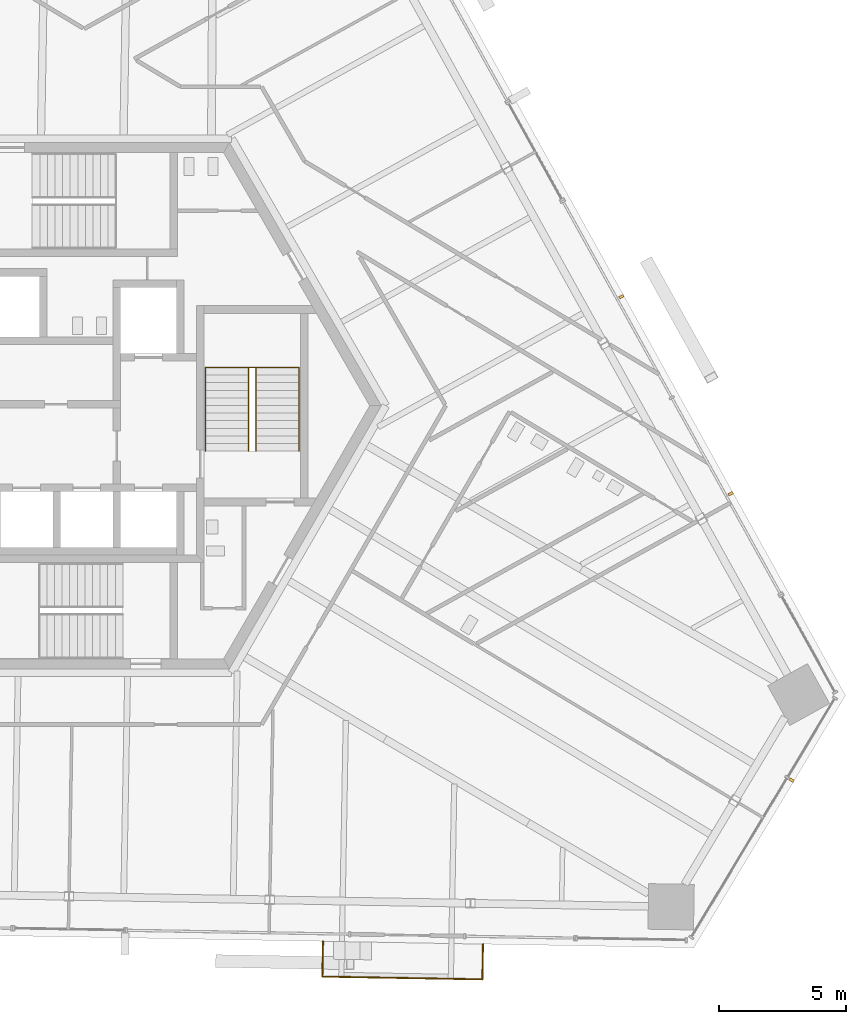
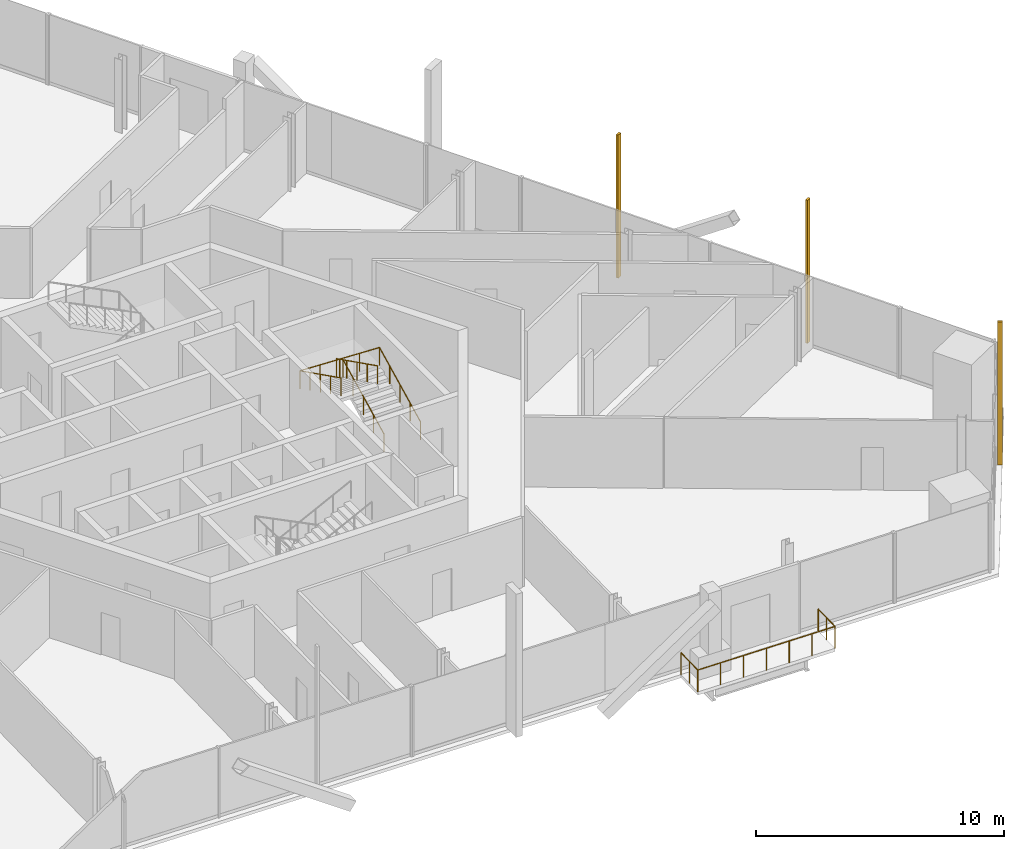
# One storey, part 17 of 21: 3 railings, 3 shading devices.
"""IFC4 building model written with IfcOpenShell, lengths in metres."""

from ifc_helpers import new_model, si_unit, direction, frame, origin, origin_2d, place, context, subcontext, project, spatial, rectangle, circle, extrude, source, transform, mapped, material, type_object, element, save


model = new_model("IFC4")

# Units and contexts
model_context = context("Model", 3, precision=1e-05, world=origin(), true_north=direction((0.0, 1.0)))
body_context = subcontext(model_context, "Body", "Model", "MODEL_VIEW")
ifc_project = project(units=[si_unit("LENGTHUNIT", "METRE"), si_unit("AREAUNIT", "SQUARE_METRE"), si_unit("VOLUMEUNIT", "CUBIC_METRE"), si_unit("PLANEANGLEUNIT", "RADIAN"), si_unit("MASSUNIT", "GRAM", prefix="KILO")], contexts=[model_context])

# Site, building, storey
site_placement = place(None, origin())
site = spatial("IfcSite", under=ifc_project, at=site_placement, CompositionType="ELEMENT")
building_placement = place(site_placement, origin())
building = spatial("IfcBuilding", under=site, at=building_placement, Name="Triune Harvest Tower", CompositionType="ELEMENT")
storey_placement = place(building_placement, frame((0.0, 0.0, 201.5)))
storey = spatial("IfcBuildingStorey", under=building, at=storey_placement, Name="L52", CompositionType="ELEMENT", Elevation=201.5)

# Railings
ifc_material_1 = material(Name="Stainless steel AISI 316", Category="steel")
railing_type_1 = type_object("IfcRailingType", Name="Stair handrail", PredefinedType="HANDRAIL", material=ifc_material_1)
shared_shape_1 = source(origin(), body_context, "Body", "SweptSolid", [
    extrude(circle(Radius=0.02392578125, at=origin_2d()), frame((0.0, 0.0, 0.8759765625), z_axis=(0.0, 0.894413956696, 0.447240063129), x_axis=(-1.0, 0.0, 0.0)), (0.0, 0.0, 1.0), 3.689697265625),
    extrude(circle(Radius=0.02392578125, at=origin_2d()), frame((0.0, 3.300048828125, 2.52587890625), z_axis=(-0.999180289278, 0.0, 0.040481471304), x_axis=(0.0, -1.0, 0.0)), (0.0, 0.0, 1.0), 3.702880859375),
    extrude(circle(Radius=0.02392578125, at=origin_2d()), frame((-3.699951171875, 3.300048828125, 2.67578125), z_axis=(0.0, -0.894413956696, 0.447240063129), x_axis=(1.0, 0.0, 0.0)), (0.0, 0.0, 1.0), 3.689697265625),
    extrude(circle(Radius=0.02099609375, at=origin_2d()), origin(), (0.0, 0.0, 1.0), 0.851806640625),
    extrude(circle(Radius=0.02099609375, at=origin_2d()), frame((0.0, 0.824951171875, 0.41259765625)), (0.0, 0.0, 1.0), 0.851806640625),
    extrude(circle(Radius=0.02099609375, at=origin_2d()), frame((0.0, 1.64990234375, 0.8251953125)), (0.0, 0.0, 1.0), 0.851806640625),
    extrude(circle(Radius=0.02099609375, at=origin_2d()), frame((0.0, 2.47509765625, 1.237548828125)), (0.0, 0.0, 1.0), 0.851806640625),
    extrude(circle(Radius=0.02099609375, at=origin_2d()), frame((0.0, 3.300048828125, 1.650146484375)), (0.0, 0.0, 1.0), 0.851806640625),
    extrude(circle(Radius=0.02099609375, at=origin_2d()), frame((-0.925048828125, 3.300048828125, 1.6875)), (0.0, 0.0, 1.0), 0.851806640625),
    extrude(circle(Radius=0.02099609375, at=origin_2d()), frame((-1.85009765625, 3.300048828125, 1.72509765625)), (0.0, 0.0, 1.0), 0.851806640625),
    extrude(circle(Radius=0.02099609375, at=origin_2d()), frame((-2.77490234375, 3.300048828125, 1.7626953125)), (0.0, 0.0, 1.0), 0.851806640625),
    extrude(circle(Radius=0.02099609375, at=origin_2d()), frame((-3.699951171875, 3.300048828125, 1.800048828125)), (0.0, 0.0, 1.0), 0.851806640625),
    extrude(circle(Radius=0.02099609375, at=origin_2d()), frame((-3.699951171875, 2.47509765625, 2.212646484375)), (0.0, 0.0, 1.0), 0.851806640625),
    extrude(circle(Radius=0.02099609375, at=origin_2d()), frame((-3.699951171875, 1.64990234375, 2.625)), (0.0, 0.0, 1.0), 0.851806640625),
    extrude(circle(Radius=0.02099609375, at=origin_2d()), frame((-3.699951171875, 0.824951171875, 3.03759765625)), (0.0, 0.0, 1.0), 0.851806640625),
    extrude(circle(Radius=0.02099609375, at=origin_2d()), frame((-3.699951171875, 0.0, 3.4501953125)), (0.0, 0.0, 1.0), 0.851806640625),
])
railing_1_placement = place(storey_placement, frame((8.75, -1.7900390625, 0.14990234375)))
element("IfcRailing", 1, at=railing_1_placement, inside=storey, type_object=railing_type_1, Name="Exit stair east wall handrail", PredefinedType="HANDRAIL", context=body_context, shape_type="MappedRepresentation", body=[
    mapped(shared_shape_1, transform((0.0, 0.0, 0.0), scale=1.0)),
])
shared_shape_2 = source(origin(), body_context, "Body", "SweptSolid", [
    extrude(circle(Radius=0.02392578125, at=origin_2d()), frame((0.0, 0.0, 0.8759765625), z_axis=(0.0, 0.894413956696, 0.447240063129), x_axis=(-1.0, 0.0, 0.0)), (0.0, 0.0, 1.0), 3.689697265625),
    extrude(circle(Radius=0.02392578125, at=origin_2d()), frame((0.0, 3.300048828125, 2.52587890625), z_axis=(-0.894572720946, 0.0, 0.446922417137), x_axis=(0.0, -1.0, 0.0)), (0.0, 0.0, 1.0), 0.33544921875),
    extrude(circle(Radius=0.02392578125, at=origin_2d()), frame((-0.300048828125, 3.300048828125, 2.67578125), z_axis=(0.0, -0.894413956696, 0.447240063129), x_axis=(1.0, 0.0, 0.0)), (0.0, 0.0, 1.0), 3.689697265625),
    extrude(circle(Radius=0.02099609375, at=origin_2d()), origin(), (0.0, 0.0, 1.0), 0.851806640625),
    extrude(circle(Radius=0.02099609375, at=origin_2d()), frame((0.0, 0.824951171875, 0.41259765625)), (0.0, 0.0, 1.0), 0.851806640625),
    extrude(circle(Radius=0.02099609375, at=origin_2d()), frame((0.0, 1.64990234375, 0.8251953125)), (0.0, 0.0, 1.0), 0.851806640625),
    extrude(circle(Radius=0.02099609375, at=origin_2d()), frame((0.0, 2.47509765625, 1.237548828125)), (0.0, 0.0, 1.0), 0.851806640625),
    extrude(circle(Radius=0.02099609375, at=origin_2d()), frame((0.0, 3.300048828125, 1.650146484375)), (0.0, 0.0, 1.0), 0.851806640625),
    extrude(circle(Radius=0.02099609375, at=origin_2d()), frame((-0.300048828125, 3.300048828125, 1.800048828125)), (0.0, 0.0, 1.0), 0.851806640625),
    extrude(circle(Radius=0.02099609375, at=origin_2d()), frame((-0.300048828125, 2.47509765625, 2.212646484375)), (0.0, 0.0, 1.0), 0.851806640625),
    extrude(circle(Radius=0.02099609375, at=origin_2d()), frame((-0.300048828125, 1.64990234375, 2.625)), (0.0, 0.0, 1.0), 0.851806640625),
    extrude(circle(Radius=0.02099609375, at=origin_2d()), frame((-0.300048828125, 0.824951171875, 3.03759765625)), (0.0, 0.0, 1.0), 0.851806640625),
    extrude(circle(Radius=0.02099609375, at=origin_2d()), frame((-0.300048828125, 0.0, 3.4501953125)), (0.0, 0.0, 1.0), 0.851806640625),
])
railing_2_placement = place(storey_placement, frame((7.050048828125, -1.7900390625, 0.14990234375)))
element("IfcRailing", 2, at=railing_2_placement, inside=storey, type_object=railing_type_1, Name="Exit stair east centre handrail", PredefinedType="HANDRAIL", context=body_context, shape_type="MappedRepresentation", body=[
    mapped(shared_shape_2, transform((0.0, 0.0, 0.0), scale=1.0)),
])

# Shading devices
ifc_material_2 = material(Name="Aluminium bronze anodised", Category="aluminium")
shared_shape_3 = source(origin(), body_context, "Body", "SweptSolid", [
    extrude(rectangle(XDim=0.10009765625, YDim=0.199951171875, at=origin_2d()), origin(), (0.0, 0.0, 1.0), 7.0400390625),
])
for number, where, z_axis, x_axis, name in (
    (3, (25.795654296875, -3.474365234375, 0.0), (0.0, 0.0, 1.0), (-0.48480848305, 0.874620337497, 0.0), "FN-1 fin B5-F1.3 L52"),
    (4, (21.4814453125, 4.30859375, 0.0), (0.0, 0.0, 1.0), (-0.48480848305, 0.874620337497, 0.0), "FN-1 fin B5-F1.5 L52"),
    (5, (28.197998046875, -14.784912109375, 0.0), (0.0, 0.0, 1.0), (0.515036685882, 0.857168135313, 0.0), "FN-1 fin B5-F6.3 L52"),
):
    element("IfcShadingDevice", number, at=place(storey_placement, frame(where, z_axis=z_axis, x_axis=x_axis)), inside=storey, material=ifc_material_2, Name=name, ObjectType="FIN", PredefinedType="USERDEFINED", context=body_context, shape_type="MappedRepresentation", body=[
        mapped(shared_shape_3, transform((0.0, 0.0, 0.0), scale=1.0)),
    ])

# Railing
ifc_material_3 = material(Name="Glass", Category="glass")
railing_type_2 = type_object("IfcRailingType", Name="GD-2 balcony guard 1100", PredefinedType="GUARDRAIL", material=ifc_material_3)
shared_shape_4 = source(origin(), body_context, "Body", "SweptSolid", [
    extrude(circle(Radius=0.02392578125, at=origin_2d()), frame((0.0, 0.0, 1.076171875), z_axis=(-0.017338433724, -0.99984967806, 0.0), x_axis=(0.99984967806, -0.017338433724, 0.0)), (0.0, 0.0, 1.0), 1.39404296875),
    extrude(circle(Radius=0.02392578125, at=origin_2d()), frame((-0.024169921875, -1.393798828125, 1.076171875), z_axis=(0.999848320594, -0.017416538279, 0.0), x_axis=(0.017416538279, 0.999848320594, 0.0)), (0.0, 0.0, 1.0), 6.322021484375),
    extrude(circle(Radius=0.02392578125, at=origin_2d()), frame((6.296875, -1.50390625, 1.076171875), z_axis=(0.017341470377, 0.999849625396, 0.0), x_axis=(-0.999849625396, 0.017341470377, 0.0)), (0.0, 0.0, 1.0), 1.393798828125),
    extrude(circle(Radius=0.02099609375, at=origin_2d()), origin(), (0.0, 0.0, 1.0), 1.052001953125),
    extrude(circle(Radius=0.02099609375, at=origin_2d()), frame((-0.01220703125, -0.69677734375, 0.0)), (0.0, 0.0, 1.0), 1.052001953125),
    extrude(circle(Radius=0.02099609375, at=origin_2d()), frame((-0.024169921875, -1.393798828125, 0.0)), (0.0, 0.0, 1.0), 1.052001953125),
    extrude(circle(Radius=0.02099609375, at=origin_2d()), frame((1.029296875, -1.412109375, 0.0)), (0.0, 0.0, 1.0), 1.052001953125),
    extrude(circle(Radius=0.02099609375, at=origin_2d()), frame((2.082763671875, -1.430419921875, 0.0)), (0.0, 0.0, 1.0), 1.052001953125),
    extrude(circle(Radius=0.02099609375, at=origin_2d()), frame((3.13623046875, -1.44873046875, 0.0)), (0.0, 0.0, 1.0), 1.052001953125),
    extrude(circle(Radius=0.02099609375, at=origin_2d()), frame((4.18994140625, -1.46728515625, 0.0)), (0.0, 0.0, 1.0), 1.052001953125),
    extrude(circle(Radius=0.02099609375, at=origin_2d()), frame((5.243408203125, -1.485595703125, 0.0)), (0.0, 0.0, 1.0), 1.052001953125),
    extrude(circle(Radius=0.02099609375, at=origin_2d()), frame((6.296875, -1.50390625, 0.0)), (0.0, 0.0, 1.0), 1.052001953125),
    extrude(circle(Radius=0.02099609375, at=origin_2d()), frame((6.30908203125, -0.80712890625, 0.0)), (0.0, 0.0, 1.0), 1.052001953125),
    extrude(circle(Radius=0.02099609375, at=origin_2d()), frame((6.321044921875, -0.1103515625, 0.0)), (0.0, 0.0, 1.0), 1.052001953125),
])
railing_3_placement = place(storey_placement, frame((9.692138671875, -21.1494140625, 0.0)))
element("IfcRailing", 6, at=railing_3_placement, inside=storey, type_object=railing_type_2, Name="Balcony guard B5-F5 L52.9", PredefinedType="GUARDRAIL", context=body_context, shape_type="MappedRepresentation", body=[
    mapped(shared_shape_4, transform((0.0, 0.0, 0.0), scale=1.0)),
])

save(model, "model.ifc")
